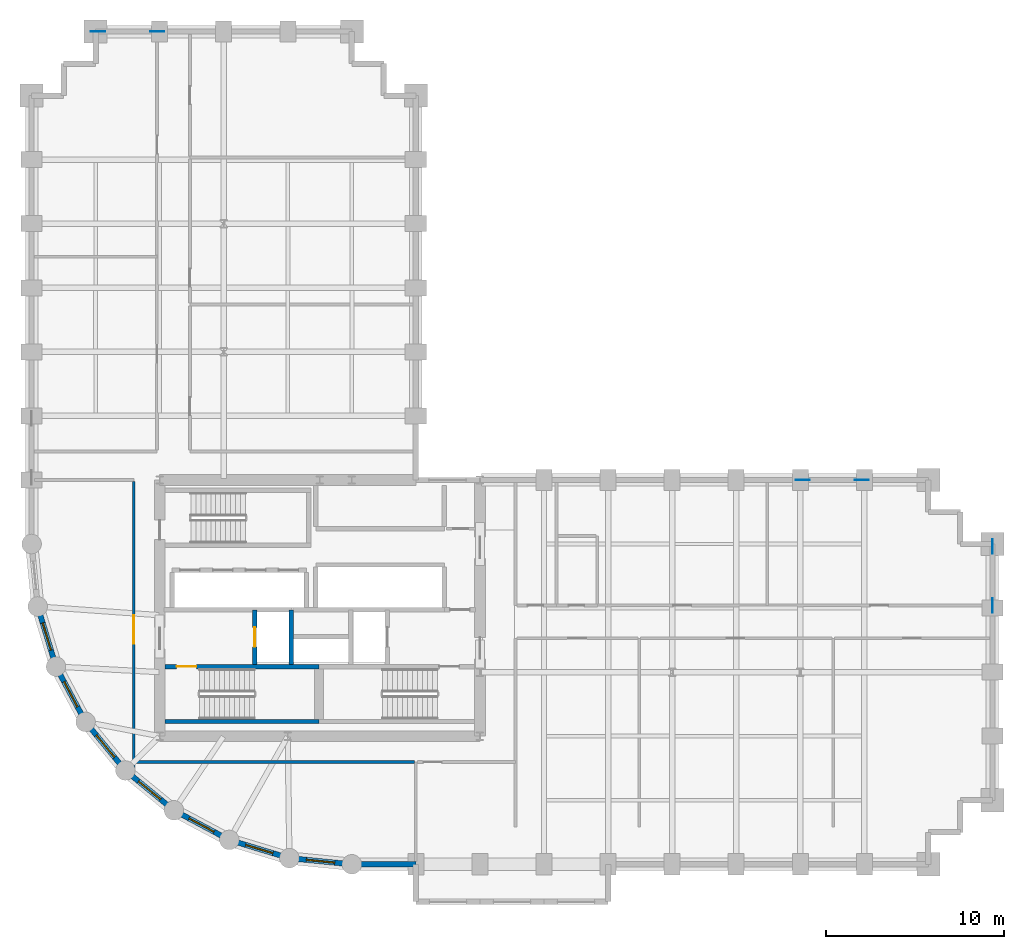
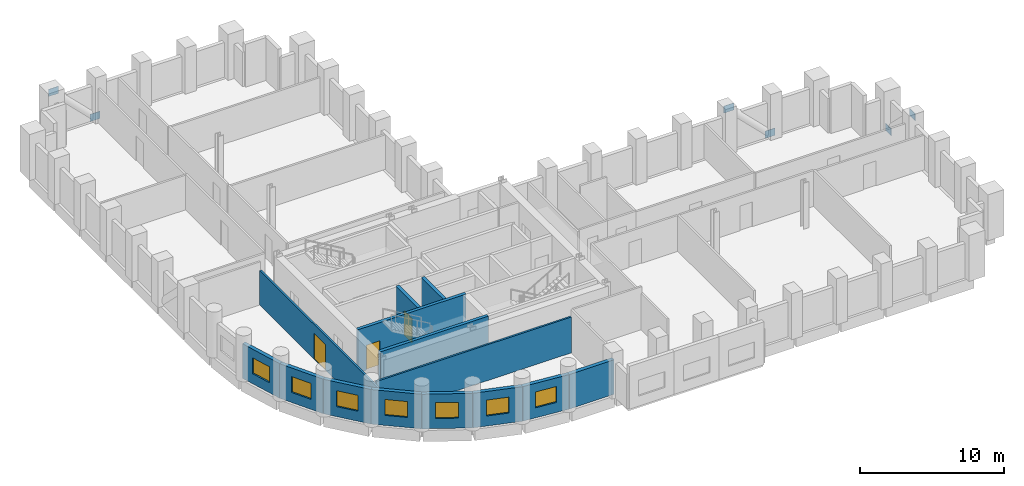
# One storey, part 5 of 9: 14 walls, 7 windows, 6 plates, 3 doors, 10 openings.
"""IFC4 building model written with IfcOpenShell, lengths in metres."""

from ifc_helpers import new_model, si_unit, direction, frame, frame_2d, origin, origin_2d, place, context, subcontext, project, spatial, rectangle, extrude, material, layer, layer_set, type_object, element, fill, save


model = new_model("IFC4")

# Units and contexts
model_context = context("Model", 3, precision=1e-05, world=origin(), true_north=direction((0.0, 1.0)))
body_context = subcontext(model_context, "Body", "Model", "MODEL_VIEW")
ifc_project = project(units=[si_unit("LENGTHUNIT", "METRE"), si_unit("AREAUNIT", "SQUARE_METRE"), si_unit("VOLUMEUNIT", "CUBIC_METRE"), si_unit("PLANEANGLEUNIT", "RADIAN"), si_unit("MASSUNIT", "GRAM", prefix="KILO")], contexts=[model_context])

# Site, building, storey
site_placement = place(None, origin())
site = spatial("IfcSite", under=ifc_project, at=site_placement, CompositionType="ELEMENT")
building_placement = place(site_placement, origin())
building = spatial("IfcBuilding", under=site, at=building_placement, Name="Solnavia Interchange Tower", CompositionType="ELEMENT")
storey_placement = place(building_placement, frame((0.0, 0.0, 66.89990234375)))
storey = spatial("IfcBuildingStorey", under=building, at=storey_placement, Name="L16", CompositionType="ELEMENT", Elevation=66.89990234375)

# Plates
ifc_material_1 = material(Name="Steel S460", Category="steel")
ifc_layer_1 = layer(ifc_material_1, 0.035888671875)
ifc_layer_set_1 = layer_set([ifc_layer_1], Name="Steel S460")
plate_type = type_object("IfcPlateType", Name="Plate-Gusset-800x600x36", PredefinedType="USERDEFINED", material=ifc_layer_set_1)
for number, where, z_axis, x_axis, name in (
    (1, (61.199951171875, 21.4599609375, -0.119873046875), (0.0, 0.0, 1.0), (0.0, -1.0, 0.0), "PLT-L16-GP03 Perimeter brace gusset plate"),
    (2, (61.199951171875, 18.139892578125, 3.170166015625), (0.0, 0.0, 1.0), (0.0, -1.0, 0.0), "PLT-L16-GP04 Perimeter brace gusset plate"),
    (3, (14.260009765625, 50.39990234375, -0.119873046875), (0.0, 0.0, 1.0), (-1.0, 0.0, 0.0), "PLT-L16-GP05 Perimeter brace gusset plate"),
    (4, (10.93994140625, 50.39990234375, 3.170166015625), (0.0, 0.0, 1.0), (-1.0, 0.0, 0.0), "PLT-L16-GP06 Perimeter brace gusset plate"),
    (5, (53.860107421875, 25.199951171875, -0.119873046875), (0.0, 0.0, 1.0), (-1.0, 0.0, 0.0), "PLT-L16-GP07 Perimeter brace gusset plate"),
    (6, (50.5400390625, 25.199951171875, 3.170166015625), (0.0, 0.0, 1.0), (-1.0, 0.0, 0.0), "PLT-L16-GP08 Perimeter brace gusset plate"),
):
    element("IfcPlate", number, at=place(storey_placement, frame(where, z_axis=z_axis, x_axis=x_axis)), inside=storey, type_object=plate_type, Name=name, ObjectType="GUSSET PLATE", PredefinedType="USERDEFINED", context=body_context, shape_type="SweptSolid", body=[
        extrude(rectangle(XDim=0.800048828125, YDim=0.035888671875, at=origin_2d()), origin(), (0.0, 0.0, 1.0), 0.60009765625),
    ])

# Wall
ifc_material_2 = material(Name="Concrete C40/50", Category="concrete")
ifc_layer_2 = layer(ifc_material_2, 0.300048828125)
ifc_layer_set_2 = layer_set([ifc_layer_2], Name="Concrete C40/50")
wall_type_1 = type_object("IfcWallType", Name="Wall-ExtSpandrel-300", PredefinedType="STANDARD", material=ifc_layer_set_2)
wall_1_placement = place(storey_placement, frame((28.800048828125, 3.60009765625, 0.0), z_axis=(0.0, 0.0, 1.0), x_axis=(-1.0, 0.0, 0.0)))
element("IfcWall", 7, at=wall_1_placement, inside=storey, type_object=wall_type_1, Name="EXW-L16-01 Exterior precast spandrel wall", PredefinedType="STANDARD", context=body_context, shape_type="SweptSolid", body=[
    extrude(rectangle(XDim=3.60009765625, YDim=0.300048828125, at=frame_2d((1.800048828125, 0.0))), origin(), (0.0, 0.0, 1.0), 2.93017578125),
])

# Wall, opening, window
wall_2_placement = place(storey_placement, frame((8.570068359375, 14.7119140625, 0.0), z_axis=(0.0, 0.0, 1.0), x_axis=(-0.290305086481, 0.956934144423, 0.0)))
wall_2 = element("IfcWall", 8, at=wall_2_placement, inside=storey, type_object=wall_type_1, Name="EXW-L16-58 Exterior precast spandrel wall", PredefinedType="STANDARD", context=body_context, shape_type="SweptSolid", body=[
    extrude(rectangle(XDim=3.52783203125, YDim=0.300048828125, at=frame_2d((1.763916015625, 0.0))), origin(), (0.0, 0.0, 1.0), 2.93017578125),
])
opening_1_placement = place(wall_2_placement, frame((0.964111328125, 0.0, 0.85009765625)))
opening_1 = element("IfcOpeningElement", 9, at=opening_1_placement, cuts=wall_2, Name="Opening WIN-04", PredefinedType="OPENING", context=body_context, shape_type="SweptSolid", body=[
    extrude(rectangle(XDim=1.60009765625, YDim=1.35009765625, at=frame_2d((0.800048828125, 0.675048828125))), frame((0.0, 0.16015625, 0.0), z_axis=(0.0, -1.0, 0.0), x_axis=(1.0, 0.0, 0.0)), (0.0, 0.0, 1.0), 0.320068359375),
])
ifc_material_3 = material(Name="Thermal-Break Aluminium & Low-E Glass", Category="aluminium")
window_type = type_object("IfcWindowType", Name="Window-Drum-1600x1350", PartitioningType="SINGLE_PANEL", PredefinedType="WINDOW", material=ifc_material_3)
window_1_placement = place(opening_1_placement, origin())
window_1 = element("IfcWindow", 10, at=window_1_placement, inside=storey, type_object=window_type, Name="WIN-L16-58 Facade ribbon window", OverallHeight=1.35009765625, OverallWidth=1.60009765625, PartitioningType="SINGLE_PANEL", PredefinedType="WINDOW", context=body_context, shape_type="SweptSolid", body=[
    extrude(rectangle(XDim=1.60009765625, YDim=1.35009765625, at=frame_2d((0.800048828125, 0.675048828125))), frame((0.0, 0.030029296875, 0.0), z_axis=(0.0, -1.0, 0.0), x_axis=(1.0, 0.0, 0.0)), (0.0, 0.0, 1.0), 0.06005859375),
])
fill(opening_1, window_1)

wall_3_placement = place(storey_placement, frame((10.23388671875, 11.60009765625, 0.0), z_axis=(0.0, 0.0, 1.0), x_axis=(-0.47151087309, 0.881860247748, 0.0)))
wall_3 = element("IfcWall", 11, at=wall_3_placement, inside=storey, type_object=wall_type_1, Name="EXW-L16-59 Exterior precast spandrel wall", PredefinedType="STANDARD", context=body_context, shape_type="SweptSolid", body=[
    extrude(rectangle(XDim=3.52880859375, YDim=0.300048828125, at=frame_2d((1.764404296875, 0.0))), origin(), (0.0, 0.0, 1.0), 2.93017578125),
])
opening_2_placement = place(wall_3_placement, frame((0.964111328125, 0.0, 0.85009765625)))
opening_2 = element("IfcOpeningElement", 12, at=opening_2_placement, cuts=wall_3, Name="Opening WIN-04", PredefinedType="OPENING", context=body_context, shape_type="SweptSolid", body=[
    extrude(rectangle(XDim=1.60009765625, YDim=1.35009765625, at=frame_2d((0.800048828125, 0.675048828125))), frame((0.0, 0.16015625, 0.0), z_axis=(0.0, -1.0, 0.0), x_axis=(1.0, 0.0, 0.0)), (0.0, 0.0, 1.0), 0.320068359375),
])
window_2_placement = place(opening_2_placement, origin())
window_2 = element("IfcWindow", 13, at=window_2_placement, inside=storey, type_object=window_type, Name="WIN-L16-59 Facade ribbon window", OverallHeight=1.35009765625, OverallWidth=1.60009765625, PartitioningType="SINGLE_PANEL", PredefinedType="WINDOW", context=body_context, shape_type="SweptSolid", body=[
    extrude(rectangle(XDim=1.60009765625, YDim=1.35009765625, at=frame_2d((0.800048828125, 0.675048828125))), frame((0.0, 0.030029296875, 0.0), z_axis=(0.0, -1.0, 0.0), x_axis=(1.0, 0.0, 0.0)), (0.0, 0.0, 1.0), 0.06005859375),
])
fill(opening_2, window_2)

wall_4_placement = place(storey_placement, frame((12.471923828125, 8.8720703125, 0.0), z_axis=(0.0, 0.0, 1.0), x_axis=(-0.634258295121, 0.773121216285, 0.0)))
wall_4 = element("IfcWall", 14, at=wall_4_placement, inside=storey, type_object=wall_type_1, Name="EXW-L16-60 Exterior precast spandrel wall", PredefinedType="STANDARD", context=body_context, shape_type="SweptSolid", body=[
    extrude(rectangle(XDim=3.528564453125, YDim=0.300048828125, at=frame_2d((1.76416015625, 0.0))), origin(), (0.0, 0.0, 1.0), 2.93017578125),
])
opening_3_placement = place(wall_4_placement, frame((0.964111328125, 0.0, 0.85009765625)))
opening_3 = element("IfcOpeningElement", 15, at=opening_3_placement, cuts=wall_4, Name="Opening WIN-04", PredefinedType="OPENING", context=body_context, shape_type="SweptSolid", body=[
    extrude(rectangle(XDim=1.60009765625, YDim=1.35009765625, at=frame_2d((0.800048828125, 0.675048828125))), frame((0.0, 0.16015625, 0.0), z_axis=(0.0, -1.0, 0.0), x_axis=(1.0, 0.0, 0.0)), (0.0, 0.0, 1.0), 0.320068359375),
])
window_3_placement = place(opening_3_placement, origin())
window_3 = element("IfcWindow", 16, at=window_3_placement, inside=storey, type_object=window_type, Name="WIN-L16-60 Facade ribbon window", OverallHeight=1.35009765625, OverallWidth=1.60009765625, PartitioningType="SINGLE_PANEL", PredefinedType="WINDOW", context=body_context, shape_type="SweptSolid", body=[
    extrude(rectangle(XDim=1.60009765625, YDim=1.35009765625, at=frame_2d((0.800048828125, 0.675048828125))), frame((0.0, 0.030029296875, 0.0), z_axis=(0.0, -1.0, 0.0), x_axis=(1.0, 0.0, 0.0)), (0.0, 0.0, 1.0), 0.06005859375),
])
fill(opening_3, window_3)

wall_5_placement = place(storey_placement, frame((15.199951171875, 6.634033203125, 0.0), z_axis=(0.0, 0.0, 1.0), x_axis=(-0.773121216285, 0.634258295121, 0.0)))
wall_5 = element("IfcWall", 17, at=wall_5_placement, inside=storey, type_object=wall_type_1, Name="EXW-L16-61 Exterior precast spandrel wall", PredefinedType="STANDARD", context=body_context, shape_type="SweptSolid", body=[
    extrude(rectangle(XDim=3.528564453125, YDim=0.300048828125, at=frame_2d((1.76416015625, 0.0))), origin(), (0.0, 0.0, 1.0), 2.93017578125),
])
opening_4_placement = place(wall_5_placement, frame((0.964111328125, 0.0, 0.85009765625)))
opening_4 = element("IfcOpeningElement", 18, at=opening_4_placement, cuts=wall_5, Name="Opening WIN-04", PredefinedType="OPENING", context=body_context, shape_type="SweptSolid", body=[
    extrude(rectangle(XDim=1.60009765625, YDim=1.35009765625, at=frame_2d((0.800048828125, 0.675048828125))), frame((0.0, 0.16015625, 0.0), z_axis=(0.0, -1.0, 0.0), x_axis=(1.0, 0.0, 0.0)), (0.0, 0.0, 1.0), 0.320068359375),
])
window_4_placement = place(opening_4_placement, origin())
window_4 = element("IfcWindow", 19, at=window_4_placement, inside=storey, type_object=window_type, Name="WIN-L16-61 Facade ribbon window", OverallHeight=1.35009765625, OverallWidth=1.60009765625, PartitioningType="SINGLE_PANEL", PredefinedType="WINDOW", context=body_context, shape_type="SweptSolid", body=[
    extrude(rectangle(XDim=1.60009765625, YDim=1.35009765625, at=frame_2d((0.800048828125, 0.675048828125))), frame((0.0, 0.030029296875, 0.0), z_axis=(0.0, -1.0, 0.0), x_axis=(1.0, 0.0, 0.0)), (0.0, 0.0, 1.0), 0.06005859375),
])
fill(opening_4, window_4)

wall_6_placement = place(storey_placement, frame((18.31201171875, 4.969970703125, 0.0), z_axis=(0.0, 0.0, 1.0), x_axis=(-0.881846862014, 0.471535907389, 0.0)))
wall_6 = element("IfcWall", 20, at=wall_6_placement, inside=storey, type_object=wall_type_1, Name="EXW-L16-62 Exterior precast spandrel wall", PredefinedType="STANDARD", context=body_context, shape_type="SweptSolid", body=[
    extrude(rectangle(XDim=3.529052734375, YDim=0.300048828125, at=frame_2d((1.7646484375, 0.0))), origin(), (0.0, 0.0, 1.0), 2.93017578125),
])
opening_5_placement = place(wall_6_placement, frame((0.964111328125, 0.0, 0.85009765625)))
opening_5 = element("IfcOpeningElement", 21, at=opening_5_placement, cuts=wall_6, Name="Opening WIN-04", PredefinedType="OPENING", context=body_context, shape_type="SweptSolid", body=[
    extrude(rectangle(XDim=1.60009765625, YDim=1.35009765625, at=frame_2d((0.800048828125, 0.675048828125))), frame((0.0, 0.16015625, 0.0), z_axis=(0.0, -1.0, 0.0), x_axis=(1.0, 0.0, 0.0)), (0.0, 0.0, 1.0), 0.320068359375),
])
window_5_placement = place(opening_5_placement, origin())
window_5 = element("IfcWindow", 22, at=window_5_placement, inside=storey, type_object=window_type, Name="WIN-L16-62 Facade ribbon window", OverallHeight=1.35009765625, OverallWidth=1.60009765625, PartitioningType="SINGLE_PANEL", PredefinedType="WINDOW", context=body_context, shape_type="SweptSolid", body=[
    extrude(rectangle(XDim=1.60009765625, YDim=1.35009765625, at=frame_2d((0.800048828125, 0.675048828125))), frame((0.0, 0.030029296875, 0.0), z_axis=(0.0, -1.0, 0.0), x_axis=(1.0, 0.0, 0.0)), (0.0, 0.0, 1.0), 0.06005859375),
])
fill(opening_5, window_5)

wall_7_placement = place(storey_placement, frame((21.68798828125, 3.946044921875, 0.0), z_axis=(0.0, 0.0, 1.0), x_axis=(-0.956953367403, 0.290241714123, 0.0)))
wall_7 = element("IfcWall", 23, at=wall_7_placement, inside=storey, type_object=wall_type_1, Name="EXW-L16-63 Exterior precast spandrel wall", PredefinedType="STANDARD", context=body_context, shape_type="SweptSolid", body=[
    extrude(rectangle(XDim=3.52783203125, YDim=0.300048828125, at=frame_2d((1.763916015625, 0.0))), origin(), (0.0, 0.0, 1.0), 2.93017578125),
])
opening_6_placement = place(wall_7_placement, frame((0.964111328125, 0.0, 0.85009765625)))
opening_6 = element("IfcOpeningElement", 24, at=opening_6_placement, cuts=wall_7, Name="Opening WIN-04", PredefinedType="OPENING", context=body_context, shape_type="SweptSolid", body=[
    extrude(rectangle(XDim=1.60009765625, YDim=1.35009765625, at=frame_2d((0.800048828125, 0.675048828125))), frame((0.0, 0.16015625, 0.0), z_axis=(0.0, -1.0, 0.0), x_axis=(1.0, 0.0, 0.0)), (0.0, 0.0, 1.0), 0.320068359375),
])
window_6_placement = place(opening_6_placement, origin())
window_6 = element("IfcWindow", 25, at=window_6_placement, inside=storey, type_object=window_type, Name="WIN-L16-63 Facade ribbon window", OverallHeight=1.35009765625, OverallWidth=1.60009765625, PartitioningType="SINGLE_PANEL", PredefinedType="WINDOW", context=body_context, shape_type="SweptSolid", body=[
    extrude(rectangle(XDim=1.60009765625, YDim=1.35009765625, at=frame_2d((0.800048828125, 0.675048828125))), frame((0.0, 0.030029296875, 0.0), z_axis=(0.0, -1.0, 0.0), x_axis=(1.0, 0.0, 0.0)), (0.0, 0.0, 1.0), 0.06005859375),
])
fill(opening_6, window_6)

wall_8_placement = place(storey_placement, frame((25.199951171875, 3.60009765625, 0.0), z_axis=(0.0, 0.0, 1.0), x_axis=(-0.995183369056, 0.098030923459, 0.0)))
wall_8 = element("IfcWall", 26, at=wall_8_placement, inside=storey, type_object=wall_type_1, Name="EXW-L16-64 Exterior precast spandrel wall", PredefinedType="STANDARD", context=body_context, shape_type="SweptSolid", body=[
    extrude(rectangle(XDim=3.529052734375, YDim=0.300048828125, at=frame_2d((1.7646484375, 0.0))), origin(), (0.0, 0.0, 1.0), 2.93017578125),
])
opening_7_placement = place(wall_8_placement, frame((0.965087890625, 0.0, 0.85009765625)))
opening_7 = element("IfcOpeningElement", 27, at=opening_7_placement, cuts=wall_8, Name="Opening WIN-04", PredefinedType="OPENING", context=body_context, shape_type="SweptSolid", body=[
    extrude(rectangle(XDim=1.60009765625, YDim=1.35009765625, at=frame_2d((0.800048828125, 0.675048828125))), frame((0.0, 0.16015625, 0.0), z_axis=(0.0, -1.0, 0.0), x_axis=(1.0, 0.0, 0.0)), (0.0, 0.0, 1.0), 0.320068359375),
])
window_7_placement = place(opening_7_placement, origin())
window_7 = element("IfcWindow", 28, at=window_7_placement, inside=storey, type_object=window_type, Name="WIN-L16-64 Facade ribbon window", OverallHeight=1.35009765625, OverallWidth=1.60009765625, PartitioningType="SINGLE_PANEL", PredefinedType="WINDOW", context=body_context, shape_type="SweptSolid", body=[
    extrude(rectangle(XDim=1.60009765625, YDim=1.35009765625, at=frame_2d((0.800048828125, 0.675048828125))), frame((0.0, 0.030029296875, 0.0), z_axis=(0.0, -1.0, 0.0), x_axis=(1.0, 0.0, 0.0)), (0.0, 0.0, 1.0), 0.06005859375),
])
fill(opening_7, window_7)

# Wall, opening, door
ifc_material_4 = material(Name="Gypsum Plasterboard & Steel Stud", Category="steel")
ifc_layer_3 = layer(ifc_material_4, 0.14990234375)
ifc_layer_set_3 = layer_set([ifc_layer_3], Name="Gypsum Plasterboard & Steel Stud")
wall_type_2 = type_object("IfcWallType", Name="Wall-Partition-150", PredefinedType="PARTITIONING", material=ifc_layer_set_3)
wall_9_placement = place(storey_placement, frame((12.949951171875, 8.6337890625, 0.0), z_axis=(0.0, 0.0, 1.0), x_axis=(0.0, 1.0, 0.0)))
wall_9 = element("IfcWall", 29, at=wall_9_placement, inside=storey, type_object=wall_type_2, Name="PTW-L16-09 Interior partition wall", PredefinedType="PARTITIONING", context=body_context, shape_type="SweptSolid", body=[
    extrude(rectangle(XDim=16.4873046875, YDim=0.14990234375, at=frame_2d((8.24365234375, 0.0))), origin(), (0.0, 0.0, 1.0), 2.93017578125),
])
opening_8_placement = place(wall_9_placement, frame((7.365966796875, 0.0, 0.0)))
opening_8 = element("IfcOpeningElement", 30, at=opening_8_placement, cuts=wall_9, Name="Opening DR-08", PredefinedType="OPENING", context=body_context, shape_type="SweptSolid", body=[
    extrude(rectangle(XDim=1.60009765625, YDim=2.199951171875, at=frame_2d((0.800048828125, 1.10009765625))), frame((0.0, 0.0849609375, 0.0), z_axis=(0.0, -1.0, 0.0), x_axis=(1.0, 0.0, 0.0)), (0.0, 0.0, 1.0), 0.169921875),
])
ifc_material_5 = material(Name="Thermally Broken Aluminium & Toughened Glass", Category="aluminium")
door_type_1 = type_object("IfcDoorType", Name="Door-RetailDouble-1600x2200", OperationType="DOUBLE_DOOR_SINGLE_SWING", PredefinedType="DOOR", material=ifc_material_5)
door_1_placement = place(opening_8_placement, origin())
door_1 = element("IfcDoor", 31, at=door_1_placement, inside=storey, type_object=door_type_1, Name="DR-L16-03 Interior room door", OperationType="DOUBLE_DOOR_SINGLE_SWING", OverallHeight=2.199951171875, OverallWidth=1.60009765625, PredefinedType="DOOR", context=body_context, shape_type="SweptSolid", body=[
    extrude(rectangle(XDim=1.60009765625, YDim=2.199951171875, at=frame_2d((0.800048828125, 1.10009765625))), frame((0.0, 0.02490234375, 0.0), z_axis=(0.0, -1.0, 0.0), x_axis=(1.0, 0.0, 0.0)), (0.0, 0.0, 1.0), 0.050048828125),
])
fill(opening_8, door_1)

# Walls
wall_10_placement = place(storey_placement, frame((13.080078125, 9.35009765625, 0.0), z_axis=(0.0, 0.0, 1.0), x_axis=(1.0, 0.0, 0.0)))
element("IfcWall", 32, at=wall_10_placement, inside=storey, type_object=wall_type_2, Name="PTW-L16-10 Interior partition wall", PredefinedType="PARTITIONING", context=body_context, shape_type="SweptSolid", body=[
    extrude(rectangle(XDim=15.640869140625, YDim=0.14990234375, at=frame_2d((7.8203125, 0.0))), origin(), (0.0, 0.0, 1.0), 3.0400390625),
])
ifc_layer_4 = layer(ifc_material_2, 0.25)
ifc_layer_set_4 = layer_set([ifc_layer_4], Name="Concrete C40/50")
wall_type_3 = type_object("IfcWallType", Name="Wall-ShaftCore-250", PredefinedType="SHEAR", material=ifc_layer_set_4)
wall_11_placement = place(storey_placement, frame((14.699951171875, 11.625, 0.0), z_axis=(0.0, 0.0, 1.0), x_axis=(1.0, 0.0, 0.0)))
element("IfcWall", 33, at=wall_11_placement, inside=storey, type_object=wall_type_3, Name="SHW-L16-ST1S Core shear wall", PredefinedType="SHEAR", context=body_context, shape_type="SweptSolid", body=[
    extrude(rectangle(XDim=8.650146484375, YDim=0.25, at=frame_2d((4.3251953125, 0.0))), origin(), (0.0, 0.0, 1.0), 3.650146484375),
])

# Wall, opening, door
wall_12_placement = place(storey_placement, frame((14.699951171875, 14.715087890625, 0.0), z_axis=(0.0, 0.0, 1.0), x_axis=(1.0, 0.0, 0.0)))
wall_12 = element("IfcWall", 34, at=wall_12_placement, inside=storey, type_object=wall_type_3, Name="SHW-L16-ST1N Core shear wall", PredefinedType="SHEAR", context=body_context, shape_type="SweptSolid", body=[
    extrude(rectangle(XDim=8.650146484375, YDim=0.25, at=frame_2d((4.3251953125, 0.0))), origin(), (0.0, 0.0, 1.0), 3.650146484375),
])
opening_9_placement = place(wall_12_placement, frame((0.655029296875, 0.0, 0.0)))
opening_9 = element("IfcOpeningElement", 35, at=opening_9_placement, cuts=wall_12, Name="Opening DR-01", PredefinedType="OPENING", context=body_context, shape_type="SweptSolid", body=[
    extrude(rectangle(XDim=1.10009765625, YDim=2.10009765625, at=frame_2d((0.550048828125, 1.050048828125))), frame((0.0, 0.135009765625, 0.0), z_axis=(0.0, -1.0, 0.0), x_axis=(1.0, 0.0, 0.0)), (0.0, 0.0, 1.0), 0.27001953125),
])
ifc_material_6 = material(Name="Steel Fire-Rated Leaf & Frame", Category="steel")
door_type_2 = type_object("IfcDoorType", Name="Door-StairFire-1100x2100", OperationType="SINGLE_SWING_LEFT", PredefinedType="DOOR", material=ifc_material_6)
door_2_placement = place(opening_9_placement, origin())
door_2 = element("IfcDoor", 36, at=door_2_placement, inside=storey, type_object=door_type_2, Name="DR-L16-ST1 Core fire door", OperationType="SINGLE_SWING_LEFT", OverallHeight=2.10009765625, OverallWidth=1.10009765625, PredefinedType="DOOR", context=body_context, shape_type="SweptSolid", body=[
    extrude(rectangle(XDim=1.10009765625, YDim=2.10009765625, at=frame_2d((0.550048828125, 1.050048828125))), frame((0.0, 0.02490234375, 0.0), z_axis=(0.0, -1.0, 0.0), x_axis=(1.0, 0.0, 0.0)), (0.0, 0.0, 1.0), 0.050048828125),
])
fill(opening_9, door_2)

ifc_layer_5 = layer(ifc_material_2, 0.25)
ifc_layer_set_5 = layer_set([ifc_layer_5], Name="Concrete C40/50")
wall_type_4 = type_object("IfcWallType", Name="Wall-ShaftPart-250", PredefinedType="PARTITIONING", material=ifc_layer_set_5)
wall_13_placement = place(storey_placement, frame((19.75, 14.840087890625, 0.0), z_axis=(0.0, 0.0, 1.0), x_axis=(0.0, 1.0, 0.0)))
wall_13 = element("IfcWall", 37, at=wall_13_placement, inside=storey, type_object=wall_type_4, Name="SHW-L16-FFL1-W Core shaft wall", PredefinedType="PARTITIONING", context=body_context, shape_type="SweptSolid", body=[
    extrude(rectangle(XDim=3.059814453125, YDim=0.25, at=frame_2d((1.52978515625, 0.0))), origin(), (0.0, 0.0, 1.0), 3.635009765625),
])
opening_10_placement = place(wall_13_placement, frame((0.97998046875, 0.0, 0.0)))
opening_10 = element("IfcOpeningElement", 38, at=opening_10_placement, cuts=wall_13, Name="Opening LD-01", PredefinedType="OPENING", context=body_context, shape_type="SweptSolid", body=[
    extrude(rectangle(XDim=1.10009765625, YDim=2.10009765625, at=frame_2d((0.550048828125, 1.050048828125))), frame((0.0, 0.135009765625, 0.0), z_axis=(0.0, -1.0, 0.0), x_axis=(1.0, 0.0, 0.0)), (0.0, 0.0, 1.0), 0.27001953125),
])
ifc_material_7 = material(Name="Brushed Stainless Steel Sliding Door", Category="steel")
door_type_3 = type_object("IfcDoorType", Name="Door-LiftLanding-1100x2100", OperationType="SLIDING_TO_LEFT", PredefinedType="DOOR", material=ifc_material_7)
door_3_placement = place(opening_10_placement, origin())
door_3 = element("IfcDoor", 39, at=door_3_placement, inside=storey, type_object=door_type_3, Name="LD-L16-FFL1 Lift landing sliding door", OperationType="SLIDING_TO_LEFT", OverallHeight=2.10009765625, OverallWidth=1.10009765625, PredefinedType="DOOR", context=body_context, shape_type="SweptSolid", body=[
    extrude(rectangle(XDim=1.10009765625, YDim=2.10009765625, at=frame_2d((0.550048828125, 1.050048828125))), frame((0.0, 0.02490234375, 0.0), z_axis=(0.0, -1.0, 0.0), x_axis=(1.0, 0.0, 0.0)), (0.0, 0.0, 1.0), 0.050048828125),
])
fill(opening_10, door_3)

# Wall
wall_14_placement = place(storey_placement, frame((21.800048828125, 14.840087890625, 0.0), z_axis=(0.0, 0.0, 1.0), x_axis=(0.0, 1.0, 0.0)))
element("IfcWall", 40, at=wall_14_placement, inside=storey, type_object=wall_type_4, Name="SHW-L16-FFL1-E Core shaft wall", PredefinedType="PARTITIONING", context=body_context, shape_type="SweptSolid", body=[
    extrude(rectangle(XDim=3.059814453125, YDim=0.25, at=frame_2d((1.52978515625, 0.0))), origin(), (0.0, 0.0, 1.0), 3.635009765625),
])

save(model, "model.ifc")
